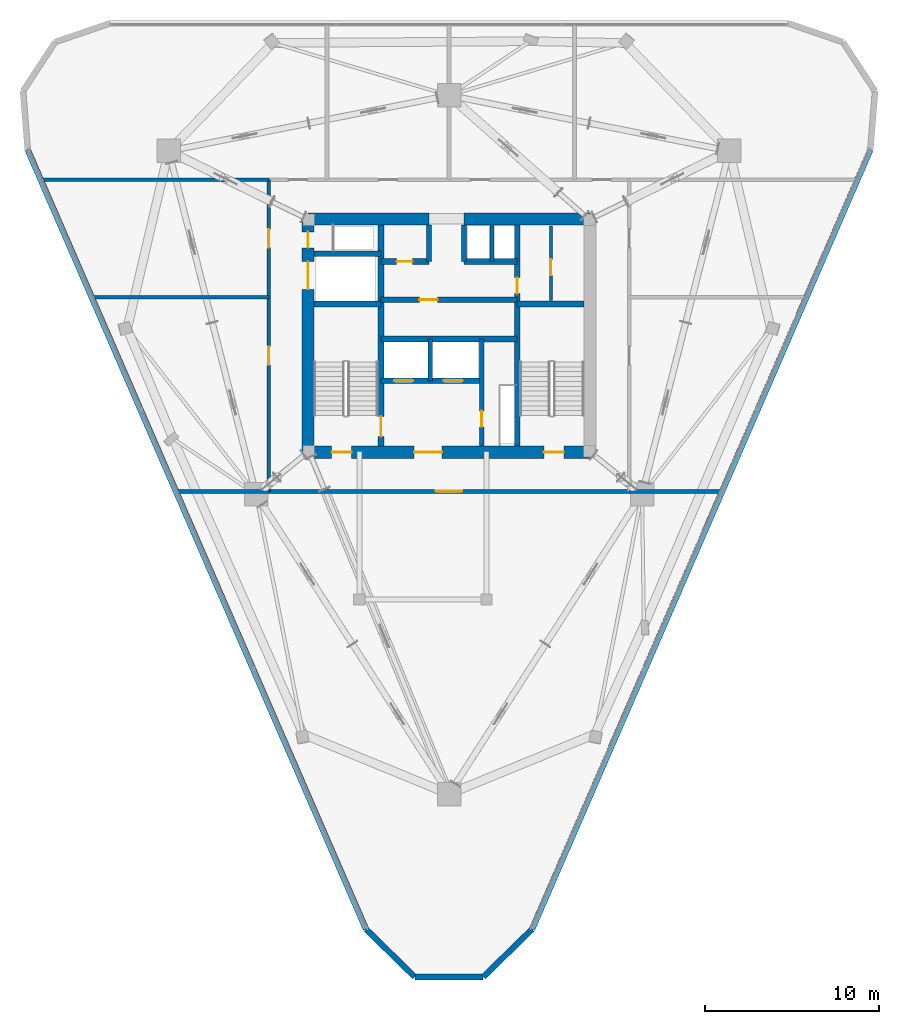
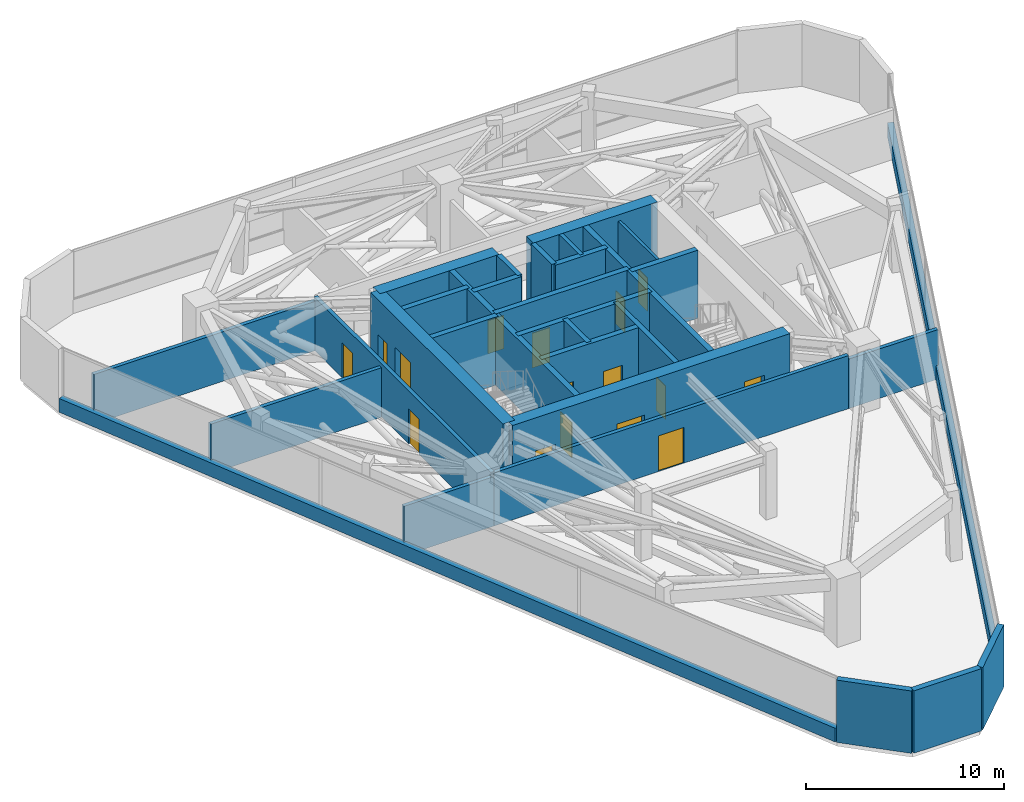
# One storey, part 10 of 12: 31 walls, 16 doors, 16 openings.
"""IFC4 building model written with IfcOpenShell, lengths in metres."""

from ifc_helpers import new_model, si_unit, direction, frame, frame_2d, origin, place, context, subcontext, project, spatial, rectangle, extrude, material, layer, layer_set, type_object, element, fill, save


model = new_model("IFC4")

# Units and contexts
model_context = context("Model", 3, precision=1e-05, world=origin(), true_north=direction((0.0, 1.0)))
body_context = subcontext(model_context, "Body", "Model", "MODEL_VIEW")
ifc_project = project(units=[si_unit("LENGTHUNIT", "METRE"), si_unit("AREAUNIT", "SQUARE_METRE"), si_unit("VOLUMEUNIT", "CUBIC_METRE"), si_unit("PLANEANGLEUNIT", "RADIAN"), si_unit("MASSUNIT", "GRAM", prefix="KILO")], contexts=[model_context])

# Site, building, storey
site_placement = place(None, origin())
site = spatial("IfcSite", under=ifc_project, at=site_placement, CompositionType="ELEMENT")
building_placement = place(site_placement, origin())
building = spatial("IfcBuilding", under=site, at=building_placement, Name="Talyreon Biosciences Tower", CompositionType="ELEMENT")
storey_placement = place(building_placement, frame((0.0, 0.0, 223.199951171875)))
storey = spatial("IfcBuildingStorey", under=building, at=storey_placement, Name="L59", CompositionType="ELEMENT", Elevation=223.199951171875)

# Walls
ifc_material_1 = material(Name="Concrete C50/60", Category="concrete")
ifc_layer_1 = layer(ifc_material_1, 0.219970703125)
ifc_layer_set_1 = layer_set([ifc_layer_1], Name="Concrete C50/60")
wall_type_1 = type_object("IfcWallType", Name="CoreShearWall_220", PredefinedType="SHEAR", material=ifc_layer_set_1)
wall_1_placement = place(storey_placement, frame((68.4599609375, 72.25, 0.0), z_axis=(0.0, 0.0, 1.0), x_axis=(0.0, 1.0, 0.0)))
element("IfcWall", 1, at=wall_1_placement, inside=storey, type_object=wall_type_1, Name="L59 Core Shaft Wall SWPHD", PredefinedType="SHEAR", context=body_context, shape_type="SweptSolid", body=[
    extrude(rectangle(XDim=2.10009765625, YDim=0.219970703125, at=frame_2d((1.050048828125, 0.0))), origin(), (0.0, 0.0, 1.0), 4.199951171875),
])
ifc_layer_2 = layer(ifc_material_1, 0.280029296875)
ifc_layer_set_2 = layer_set([ifc_layer_2], Name="Concrete C50/60")
wall_type_2 = type_object("IfcWallType", Name="CoreShearWall_280", PredefinedType="SHEAR", material=ifc_layer_set_2)
wall_2_placement = place(storey_placement, frame((64.919921875, 65.39990234375, 0.0), z_axis=(0.0, 0.0, 1.0), x_axis=(0.0, 1.0, 0.0)))
element("IfcWall", 2, at=wall_2_placement, inside=storey, type_object=wall_type_2, Name="L59 Core Shaft Wall SWSHD1", PredefinedType="SHEAR", context=body_context, shape_type="SweptSolid", body=[
    extrude(rectangle(XDim=2.400146484375, YDim=0.280029296875, at=frame_2d((1.2001953125, 0.0))), origin(), (0.0, 0.0, 1.0), 4.199951171875),
])
for number, where, z_axis, x_axis, name in (
    (3, (64.85009765625, 72.25, 0.0), (0.0, 0.0, 1.0), (0.0, 1.0, 0.0), "L59 Core Shaft Wall SWTHW"),
    (4, (66.85009765625, 72.25, 0.0), (0.0, 0.0, 1.0), (0.0, 1.0, 0.0), "L59 Core Shaft Wall SWTHE"),
):
    element("IfcWall", number, at=place(storey_placement, frame(where, z_axis=z_axis, x_axis=x_axis)), inside=storey, type_object=wall_type_2, Name=name, PredefinedType="SHEAR", context=body_context, shape_type="SweptSolid", body=[
        extrude(rectangle(XDim=2.10009765625, YDim=0.280029296875, at=frame_2d((1.050048828125, 0.0))), origin(), (0.0, 0.0, 1.0), 4.199951171875),
    ])

# Wall, opening, door
wall_3_placement = place(storey_placement, frame((67.8798828125, 61.64990234375, 0.0), z_axis=(0.0, 0.0, 1.0), x_axis=(0.0, 1.0, 0.0)))
wall_3 = element("IfcWall", 5, at=wall_3_placement, inside=storey, type_object=wall_type_2, Name="L59 Core Shaft Wall SWFFE", PredefinedType="SHEAR", context=body_context, shape_type="SweptSolid", body=[
    extrude(rectangle(XDim=6.150146484375, YDim=0.280029296875, at=frame_2d((3.0751953125, 0.0))), origin(), (0.0, 0.0, 1.0), 4.199951171875),
])
opening_1_placement = place(wall_3_placement, frame((1.10009765625, 0.0, 0.0)))
opening_1 = element("IfcOpeningElement", 6, at=opening_1_placement, cuts=wall_3, Name="Opening DR-L59-RSE", PredefinedType="OPENING", context=body_context, shape_type="SweptSolid", body=[
    extrude(rectangle(XDim=0.919921875, YDim=2.050048828125, at=frame_2d((0.4599609375, 1.02490234375))), frame((0.0, 0.14990234375, 0.0), z_axis=(0.0, -1.0, 0.0), x_axis=(1.0, 0.0, 0.0)), (0.0, 0.0, 1.0), 0.300048828125),
])
ifc_material_2 = material(Name="Painted steel fire-rated riser door", Category="steel")
door_type_1 = type_object("IfcDoorType", Name="RiserPlantAccessDoor_920x2050", OperationType="NOTDEFINED", PredefinedType="DOOR", material=ifc_material_2)
door_1_placement = place(opening_1_placement, origin())
door_1 = element("IfcDoor", 7, at=door_1_placement, inside=storey, type_object=door_type_1, Name="L59 Core Door DR-L59-RSE", OperationType="SINGLE_SWING_RIGHT", OverallHeight=2.050048828125, OverallWidth=0.919921875, PredefinedType="DOOR", context=body_context, shape_type="SweptSolid", body=[
    extrude(rectangle(XDim=0.919921875, YDim=2.050048828125, at=frame_2d((0.4599609375, 1.02490234375))), frame((0.0, 0.02490234375, 0.0), z_axis=(0.0, -1.0, 0.0), x_axis=(1.0, 0.0, 0.0)), (0.0, 0.0, 1.0), 0.050048828125),
])
fill(opening_1, door_1)

ifc_layer_3 = layer(ifc_material_1, 0.320068359375)
ifc_layer_set_3 = layer_set([ifc_layer_3], Name="Concrete C50/60")
wall_type_3 = type_object("IfcWallType", Name="CoreShearWall_320", PredefinedType="SHEAR", material=ifc_layer_set_3)
wall_4_placement = place(storey_placement, frame((62.090087890625, 61.64990234375, 0.0), z_axis=(0.0, 0.0, 1.0), x_axis=(0.0, 1.0, 0.0)))
wall_4 = element("IfcWall", 8, at=wall_4_placement, inside=storey, type_object=wall_type_3, Name="L59 Core Shaft Wall SW1E", PredefinedType="SHEAR", context=body_context, shape_type="SweptSolid", body=[
    extrude(rectangle(XDim=12.7001953125, YDim=0.320068359375, at=frame_2d((6.35009765625, 0.0))), origin(), (0.0, 0.0, 1.0), 4.199951171875),
])
opening_2_placement = place(wall_4_placement, frame((0.550048828125, 0.0, 0.0)))
opening_2 = element("IfcOpeningElement", 9, at=opening_2_placement, cuts=wall_4, Name="Opening DR-L59-FF-ST1", PredefinedType="OPENING", context=body_context, shape_type="SweptSolid", body=[
    extrude(rectangle(XDim=1.14990234375, YDim=2.14990234375, at=frame_2d((0.574951171875, 1.074951171875))), frame((0.0, 0.169921875, 0.0), z_axis=(0.0, -1.0, 0.0), x_axis=(1.0, 0.0, 0.0)), (0.0, 0.0, 1.0), 0.340087890625),
])
ifc_material_3 = material(Name="Painted steel fire door", Category="steel")
door_type_2 = type_object("IfcDoorType", Name="StairShaftFireDoor_1150x2150", OperationType="NOTDEFINED", PredefinedType="DOOR", material=ifc_material_3)
door_2_placement = place(opening_2_placement, origin())
door_2 = element("IfcDoor", 10, at=door_2_placement, inside=storey, type_object=door_type_2, Name="L59 Core Door DR-L59-FF-ST1", OperationType="SINGLE_SWING_LEFT", OverallHeight=2.14990234375, OverallWidth=1.14990234375, PredefinedType="DOOR", context=body_context, shape_type="SweptSolid", body=[
    extrude(rectangle(XDim=1.14990234375, YDim=2.14990234375, at=frame_2d((0.574951171875, 1.074951171875))), frame((0.0, 0.02490234375, 0.0), z_axis=(0.0, -1.0, 0.0), x_axis=(1.0, 0.0, 0.0)), (0.0, 0.0, 1.0), 0.050048828125),
])
fill(opening_2, door_2)

wall_5_placement = place(storey_placement, frame((69.909912109375, 61.64990234375, 0.0), z_axis=(0.0, 0.0, 1.0), x_axis=(0.0, 1.0, 0.0)))
wall_5 = element("IfcWall", 11, at=wall_5_placement, inside=storey, type_object=wall_type_3, Name="L59 Core Shaft Wall SW2W", PredefinedType="SHEAR", context=body_context, shape_type="SweptSolid", body=[
    extrude(rectangle(XDim=12.7001953125, YDim=0.320068359375, at=frame_2d((6.35009765625, 0.0))), origin(), (0.0, 0.0, 1.0), 4.199951171875),
])
opening_3_placement = place(wall_5_placement, frame((8.75, 0.0, 0.0)))
opening_3 = element("IfcOpeningElement", 12, at=opening_3_placement, cuts=wall_5, Name="Opening DR-L59-CSRV", PredefinedType="OPENING", context=body_context, shape_type="SweptSolid", body=[
    extrude(rectangle(XDim=0.919921875, YDim=2.050048828125, at=frame_2d((0.4599609375, 1.02490234375))), frame((0.0, 0.169921875, 0.0), z_axis=(0.0, -1.0, 0.0), x_axis=(1.0, 0.0, 0.0)), (0.0, 0.0, 1.0), 0.340087890625),
])
door_3_placement = place(opening_3_placement, origin())
door_3 = element("IfcDoor", 13, at=door_3_placement, inside=storey, type_object=door_type_1, Name="L59 Core Door DR-L59-CSRV", OperationType="SINGLE_SWING_RIGHT", OverallHeight=2.050048828125, OverallWidth=0.919921875, PredefinedType="DOOR", context=body_context, shape_type="SweptSolid", body=[
    extrude(rectangle(XDim=0.919921875, YDim=2.050048828125, at=frame_2d((0.4599609375, 1.02490234375))), frame((0.0, 0.02490234375, 0.0), z_axis=(0.0, -1.0, 0.0), x_axis=(1.0, 0.0, 0.0)), (0.0, 0.0, 1.0), 0.050048828125),
])
fill(opening_3, door_3)

# Walls
for number, where, z_axis, x_axis, name in (
    (14, (58.25, 69.81005859375, 0.0), (0.0, 0.0, 1.0), (1.0, 0.0, 0.0), "L59 Core Shaft Wall SW1N"),
    (15, (69.909912109375, 69.81005859375, 0.0), (0.0, 0.0, 1.0), (1.0, 0.0, 0.0), "L59 Core Shaft Wall SW2N"),
    (16, (58.25, 72.699951171875, 0.0), (0.0, 0.0, 1.0), (1.0, 0.0, 0.0), "L59 Core Shaft Wall SWGLN"),
):
    element("IfcWall", number, at=place(storey_placement, frame(where, z_axis=z_axis, x_axis=x_axis)), inside=storey, type_object=wall_type_3, Name=name, PredefinedType="SHEAR", context=body_context, shape_type="SweptSolid", body=[
        extrude(rectangle(XDim=3.840087890625, YDim=0.320068359375, at=frame_2d((1.919921875, 0.0))), origin(), (0.0, 0.0, 1.0), 4.199951171875),
    ])
wall_6_placement = place(storey_placement, frame((62.090087890625, 67.800048828125, 0.0), z_axis=(0.0, 0.0, 1.0), x_axis=(1.0, 0.0, 0.0)))
element("IfcWall", 17, at=wall_6_placement, inside=storey, type_object=wall_type_3, Name="L59 Core Shaft Wall SWSHM", PredefinedType="SHEAR", context=body_context, shape_type="SweptSolid", body=[
    extrude(rectangle(XDim=7.81982421875, YDim=0.320068359375, at=frame_2d((3.909912109375, 0.0))), origin(), (0.0, 0.0, 1.0), 4.199951171875),
])

# Wall, opening, door
wall_7_placement = place(storey_placement, frame((62.090087890625, 70.050048828125, 0.0), z_axis=(0.0, 0.0, 1.0), x_axis=(1.0, 0.0, 0.0)))
wall_7 = element("IfcWall", 18, at=wall_7_placement, inside=storey, type_object=wall_type_3, Name="L59 Core Shaft Wall SWSPN", PredefinedType="SHEAR", context=body_context, shape_type="SweptSolid", body=[
    extrude(rectangle(XDim=7.81982421875, YDim=0.320068359375, at=frame_2d((3.909912109375, 0.0))), origin(), (0.0, 0.0, 1.0), 4.199951171875),
])
opening_4_placement = place(wall_7_placement, frame((2.199951171875, 0.0, 0.0)))
opening_4 = element("IfcOpeningElement", 19, at=opening_4_placement, cuts=wall_7, Name="Opening DR-L59-PLPMFREE", PredefinedType="OPENING", context=body_context, shape_type="SweptSolid", body=[
    extrude(rectangle(XDim=1.050048828125, YDim=2.14990234375, at=frame_2d((0.52490234375, 1.074951171875))), frame((0.0, 0.169921875, 0.0), z_axis=(0.0, -1.0, 0.0), x_axis=(1.0, 0.0, 0.0)), (0.0, 0.0, 1.0), 0.340087890625),
])
ifc_material_4 = material(Name="Acoustic timber-core laboratory door", Category="wood")
door_type_3 = type_object("IfcDoorType", Name="DryLabSingleDoor_1050x2150", OperationType="NOTDEFINED", PredefinedType="DOOR", material=ifc_material_4)
door_4_placement = place(opening_4_placement, origin())
door_4 = element("IfcDoor", 20, at=door_4_placement, inside=storey, type_object=door_type_3, Name="L59 Core Door DR-L59-PLPMFREE", OperationType="SINGLE_SWING_LEFT", OverallHeight=2.14990234375, OverallWidth=1.050048828125, PredefinedType="DOOR", context=body_context, shape_type="SweptSolid", body=[
    extrude(rectangle(XDim=1.050048828125, YDim=2.14990234375, at=frame_2d((0.52490234375, 1.074951171875))), frame((0.0, 0.02490234375, 0.0), z_axis=(0.0, -1.0, 0.0), x_axis=(1.0, 0.0, 0.0)), (0.0, 0.0, 1.0), 0.050048828125),
])
fill(opening_4, door_4)

wall_8_placement = place(storey_placement, frame((62.090087890625, 72.25, 0.0), z_axis=(0.0, 0.0, 1.0), x_axis=(1.0, 0.0, 0.0)))
wall_8 = element("IfcWall", 21, at=wall_8_placement, inside=storey, type_object=wall_type_3, Name="L59 Core Shaft Wall SWNPW", PredefinedType="SHEAR", context=body_context, shape_type="SweptSolid", body=[
    extrude(rectangle(XDim=2.760009765625, YDim=0.320068359375, at=frame_2d((1.3798828125, 0.0))), origin(), (0.0, 0.0, 1.0), 4.199951171875),
])
opening_5_placement = place(wall_8_placement, frame((0.89990234375, 0.0, 0.0)))
opening_5 = element("IfcOpeningElement", 22, at=opening_5_placement, cuts=wall_8, Name="Opening DR-L59-PM2FREE", PredefinedType="OPENING", context=body_context, shape_type="SweptSolid", body=[
    extrude(rectangle(XDim=0.919921875, YDim=2.050048828125, at=frame_2d((0.4599609375, 1.02490234375))), frame((0.0, 0.169921875, 0.0), z_axis=(0.0, -1.0, 0.0), x_axis=(1.0, 0.0, 0.0)), (0.0, 0.0, 1.0), 0.340087890625),
])
door_5_placement = place(opening_5_placement, origin())
door_5 = element("IfcDoor", 23, at=door_5_placement, inside=storey, type_object=door_type_1, Name="L59 Core Door DR-L59-PM2FREE", OperationType="SINGLE_SWING_RIGHT", OverallHeight=2.050048828125, OverallWidth=0.919921875, PredefinedType="DOOR", context=body_context, shape_type="SweptSolid", body=[
    extrude(rectangle(XDim=0.919921875, YDim=2.050048828125, at=frame_2d((0.4599609375, 1.02490234375))), frame((0.0, 0.02490234375, 0.0), z_axis=(0.0, -1.0, 0.0), x_axis=(1.0, 0.0, 0.0)), (0.0, 0.0, 1.0), 0.050048828125),
])
fill(opening_5, door_5)

# Wall
wall_9_placement = place(storey_placement, frame((66.85009765625, 72.25, 0.0), z_axis=(0.0, 0.0, 1.0), x_axis=(1.0, 0.0, 0.0)))
element("IfcWall", 24, at=wall_9_placement, inside=storey, type_object=wall_type_3, Name="L59 Core Shaft Wall SWNPE", PredefinedType="SHEAR", context=body_context, shape_type="SweptSolid", body=[
    extrude(rectangle(XDim=3.059814453125, YDim=0.320068359375, at=frame_2d((1.52978515625, 0.0))), origin(), (0.0, 0.0, 1.0), 4.199951171875),
])

# Wall, openings, doors
wall_10_placement = place(storey_placement, frame((62.090087890625, 65.39990234375, 0.0), z_axis=(0.0, 0.0, 1.0), x_axis=(1.0, 0.0, 0.0)))
wall_10 = element("IfcWall", 25, at=wall_10_placement, inside=storey, type_object=wall_type_3, Name="L59 Core Shaft Wall SWFFN", PredefinedType="SHEAR", context=body_context, shape_type="SweptSolid", body=[
    extrude(rectangle(XDim=5.789794921875, YDim=0.320068359375, at=frame_2d((2.89501953125, 0.0))), origin(), (0.0, 0.0, 1.0), 4.199951171875),
])
opening_6_placement = place(wall_10_placement, frame((0.75, 0.0, 0.0)))
opening_6 = element("IfcOpeningElement", 26, at=opening_6_placement, cuts=wall_10, Name="Opening LD-L59-FL1", PredefinedType="OPENING", context=body_context, shape_type="SweptSolid", body=[
    extrude(rectangle(XDim=1.10009765625, YDim=2.199951171875, at=frame_2d((0.550048828125, 1.10009765625))), frame((0.0, 0.169921875, 0.0), z_axis=(0.0, -1.0, 0.0), x_axis=(1.0, 0.0, 0.0)), (0.0, 0.0, 1.0), 0.340087890625),
])
opening_7_placement = place(wall_10_placement, frame((3.60009765625, 0.0, 0.0)))
opening_7 = element("IfcOpeningElement", 27, at=opening_7_placement, cuts=wall_10, Name="Opening LD-L59-FL2", PredefinedType="OPENING", context=body_context, shape_type="SweptSolid", body=[
    extrude(rectangle(XDim=1.10009765625, YDim=2.199951171875, at=frame_2d((0.550048828125, 1.10009765625))), frame((0.0, 0.169921875, 0.0), z_axis=(0.0, -1.0, 0.0), x_axis=(1.0, 0.0, 0.0)), (0.0, 0.0, 1.0), 0.340087890625),
])
ifc_material_5 = material(Name="Brushed stainless-steel lift landing door", Category="steel")
door_type_4 = type_object("IfcDoorType", Name="LiftSlidingLandingDoor_1100x2200", OperationType="SLIDING_TO_LEFT", PredefinedType="DOOR", material=ifc_material_5)
door_6_placement = place(opening_6_placement, origin())
door_6 = element("IfcDoor", 28, at=door_6_placement, inside=storey, type_object=door_type_4, Name="L59 Core Door LD-L59-FL1", OperationType="SLIDING_TO_LEFT", OverallHeight=2.199951171875, OverallWidth=1.10009765625, PredefinedType="DOOR", context=body_context, shape_type="SweptSolid", body=[
    extrude(rectangle(XDim=1.10009765625, YDim=2.199951171875, at=frame_2d((0.550048828125, 1.10009765625))), frame((0.0, 0.02490234375, 0.0), z_axis=(0.0, -1.0, 0.0), x_axis=(1.0, 0.0, 0.0)), (0.0, 0.0, 1.0), 0.050048828125),
])
fill(opening_6, door_6)
door_7_placement = place(opening_7_placement, origin())
door_7 = element("IfcDoor", 29, at=door_7_placement, inside=storey, type_object=door_type_4, Name="L59 Core Door LD-L59-FL2", OperationType="SLIDING_TO_LEFT", OverallHeight=2.199951171875, OverallWidth=1.10009765625, PredefinedType="DOOR", context=body_context, shape_type="SweptSolid", body=[
    extrude(rectangle(XDim=1.10009765625, YDim=2.199951171875, at=frame_2d((0.550048828125, 1.10009765625))), frame((0.0, 0.02490234375, 0.0), z_axis=(0.0, -1.0, 0.0), x_axis=(1.0, 0.0, 0.0)), (0.0, 0.0, 1.0), 0.050048828125),
])
fill(opening_7, door_7)

ifc_layer_4 = layer(ifc_material_1, 0.699951171875)
ifc_layer_set_4 = layer_set([ifc_layer_4], Name="Concrete C50/60")
wall_type_4 = type_object("IfcWallType", Name="CoreShearWall_700", PredefinedType="SHEAR", material=ifc_layer_set_4)
wall_11_placement = place(storey_placement, frame((57.89990234375, 61.300048828125, 0.0), z_axis=(0.0, 0.0, 1.0), x_axis=(1.0, 0.0, 0.0)))
wall_11 = element("IfcWall", 30, at=wall_11_placement, inside=storey, type_object=wall_type_4, Name="L59 Core Shear Wall S", PredefinedType="SHEAR", context=body_context, shape_type="SweptSolid", body=[
    extrude(rectangle(XDim=16.2001953125, YDim=0.699951171875, at=frame_2d((8.10009765625, 0.0))), origin(), (0.0, 0.0, 1.0), 4.199951171875),
])
opening_8_placement = place(wall_11_placement, frame((1.35009765625, 0.0, 0.0)))
opening_8 = element("IfcOpeningElement", 31, at=opening_8_placement, cuts=wall_11, Name="Opening DR-L59-ST1", PredefinedType="OPENING", context=body_context, shape_type="SweptSolid", body=[
    extrude(rectangle(XDim=1.14990234375, YDim=2.14990234375, at=frame_2d((0.574951171875, 1.074951171875))), frame((0.0, 0.35986328125, 0.0), z_axis=(0.0, -1.0, 0.0), x_axis=(1.0, 0.0, 0.0)), (0.0, 0.0, 1.0), 0.719970703125),
])
opening_9_placement = place(wall_11_placement, frame((6.10009765625, 0.0, 0.0)))
opening_9 = element("IfcOpeningElement", 32, at=opening_9_placement, cuts=wall_11, Name="Opening DR-L59-FFL", PredefinedType="OPENING", context=body_context, shape_type="SweptSolid", body=[
    extrude(rectangle(XDim=1.60009765625, YDim=2.14990234375, at=frame_2d((0.800048828125, 1.074951171875))), frame((0.0, 0.35986328125, 0.0), z_axis=(0.0, -1.0, 0.0), x_axis=(1.0, 0.0, 0.0)), (0.0, 0.0, 1.0), 0.719970703125),
])
opening_10_placement = place(wall_11_placement, frame((13.550048828125, 0.0, 0.0)))
opening_10 = element("IfcOpeningElement", 33, at=opening_10_placement, cuts=wall_11, Name="Opening DR-L59-ST2", PredefinedType="OPENING", context=body_context, shape_type="SweptSolid", body=[
    extrude(rectangle(XDim=1.14990234375, YDim=2.14990234375, at=frame_2d((0.574951171875, 1.074951171875))), frame((0.0, 0.35986328125, 0.0), z_axis=(0.0, -1.0, 0.0), x_axis=(1.0, 0.0, 0.0)), (0.0, 0.0, 1.0), 0.719970703125),
])
ifc_material_6 = material(Name="Painted steel smoke-seal fire door", Category="steel")
door_type_5 = type_object("IfcDoorType", Name="FirefightingLobbyDoubleDoor_1600x2150", OperationType="DOUBLE_DOOR_SINGLE_SWING", PredefinedType="DOOR", material=ifc_material_6)
door_8_placement = place(opening_9_placement, origin())
door_8 = element("IfcDoor", 34, at=door_8_placement, inside=storey, type_object=door_type_5, Name="L59 Core Door DR-L59-FFL", OperationType="DOUBLE_DOOR_SINGLE_SWING", OverallHeight=2.14990234375, OverallWidth=1.60009765625, PredefinedType="DOOR", context=body_context, shape_type="SweptSolid", body=[
    extrude(rectangle(XDim=1.60009765625, YDim=2.14990234375, at=frame_2d((0.800048828125, 1.074951171875))), frame((0.0, 0.02490234375, 0.0), z_axis=(0.0, -1.0, 0.0), x_axis=(1.0, 0.0, 0.0)), (0.0, 0.0, 1.0), 0.050048828125),
])
fill(opening_9, door_8)
door_9_placement = place(opening_8_placement, origin())
door_9 = element("IfcDoor", 35, at=door_9_placement, inside=storey, type_object=door_type_2, Name="L59 Core Door DR-L59-ST1", OperationType="SINGLE_SWING_LEFT", OverallHeight=2.14990234375, OverallWidth=1.14990234375, PredefinedType="DOOR", context=body_context, shape_type="SweptSolid", body=[
    extrude(rectangle(XDim=1.14990234375, YDim=2.14990234375, at=frame_2d((0.574951171875, 1.074951171875))), frame((0.0, 0.02490234375, 0.0), z_axis=(0.0, -1.0, 0.0), x_axis=(1.0, 0.0, 0.0)), (0.0, 0.0, 1.0), 0.050048828125),
])
fill(opening_8, door_9)
door_10_placement = place(opening_10_placement, origin())
door_10 = element("IfcDoor", 36, at=door_10_placement, inside=storey, type_object=door_type_2, Name="L59 Core Door DR-L59-ST2", OperationType="SINGLE_SWING_RIGHT", OverallHeight=2.14990234375, OverallWidth=1.14990234375, PredefinedType="DOOR", context=body_context, shape_type="SweptSolid", body=[
    extrude(rectangle(XDim=1.14990234375, YDim=2.14990234375, at=frame_2d((0.574951171875, 1.074951171875))), frame((0.0, 0.02490234375, 0.0), z_axis=(0.0, -1.0, 0.0), x_axis=(1.0, 0.0, 0.0)), (0.0, 0.0, 1.0), 0.050048828125),
])
fill(opening_10, door_10)

# Walls
wall_12_placement = place(storey_placement, frame((74.10009765625, 74.699951171875, 0.0), z_axis=(0.0, 0.0, 1.0), x_axis=(-1.0, 0.0, 0.0)))
element("IfcWall", 37, at=wall_12_placement, inside=storey, type_object=wall_type_4, Name="L59 Core Shear Wall NE", PredefinedType="SHEAR", context=body_context, shape_type="SweptSolid", body=[
    extrude(rectangle(XDim=7.25, YDim=0.699951171875, at=frame_2d((3.625, 0.0))), origin(), (0.0, 0.0, 1.0), 4.199951171875),
])
wall_13_placement = place(storey_placement, frame((64.85009765625, 74.699951171875, 0.0), z_axis=(0.0, 0.0, 1.0), x_axis=(-1.0, 0.0, 0.0)))
element("IfcWall", 38, at=wall_13_placement, inside=storey, type_object=wall_type_4, Name="L59 Core Shear Wall NW", PredefinedType="SHEAR", context=body_context, shape_type="SweptSolid", body=[
    extrude(rectangle(XDim=6.9501953125, YDim=0.699951171875, at=frame_2d((3.47509765625, 0.0))), origin(), (0.0, 0.0, 1.0), 4.199951171875),
])

# Wall, openings, doors
wall_14_placement = place(storey_placement, frame((57.89990234375, 74.699951171875, 0.0), z_axis=(0.0, 0.0, 1.0), x_axis=(0.0, -1.0, 0.0)))
wall_14 = element("IfcWall", 39, at=wall_14_placement, inside=storey, type_object=wall_type_4, Name="L59 Core Shear Wall W", PredefinedType="SHEAR", context=body_context, shape_type="SweptSolid", body=[
    extrude(rectangle(XDim=13.39990234375, YDim=0.699951171875, at=frame_2d((6.699951171875, 0.0))), origin(), (0.0, 0.0, 1.0), 4.199951171875),
])
opening_11_placement = place(wall_14_placement, frame((0.75, 0.0, 0.0)))
opening_11 = element("IfcOpeningElement", 40, at=opening_11_placement, cuts=wall_14, Name="Opening DR-L59-RSW", PredefinedType="OPENING", context=body_context, shape_type="SweptSolid", body=[
    extrude(rectangle(XDim=0.919921875, YDim=2.050048828125, at=frame_2d((0.4599609375, 1.02490234375))), frame((0.0, 0.35986328125, 0.0), z_axis=(0.0, -1.0, 0.0), x_axis=(1.0, 0.0, 0.0)), (0.0, 0.0, 1.0), 0.719970703125),
])
opening_12_placement = place(wall_14_placement, frame((2.449951171875, 0.0, 0.0)))
opening_12 = element("IfcOpeningElement", 41, at=opening_12_placement, cuts=wall_14, Name="Opening LD-L59-GL1", PredefinedType="OPENING", context=body_context, shape_type="SweptSolid", body=[
    extrude(rectangle(XDim=1.60009765625, YDim=2.300048828125, at=frame_2d((0.800048828125, 1.14990234375))), frame((0.0, 0.35986328125, 0.0), z_axis=(0.0, -1.0, 0.0), x_axis=(1.0, 0.0, 0.0)), (0.0, 0.0, 1.0), 0.719970703125),
])
ifc_material_7 = material(Name="Heavy-duty stainless-steel goods lift door", Category="steel")
door_type_6 = type_object("IfcDoorType", Name="GoodsLiftSlidingDoor_1600x2300", OperationType="DOUBLE_DOOR_SLIDING", PredefinedType="DOOR", material=ifc_material_7)
door_11_placement = place(opening_12_placement, origin())
door_11 = element("IfcDoor", 42, at=door_11_placement, inside=storey, type_object=door_type_6, Name="L59 Core Door LD-L59-GL1", OperationType="DOUBLE_DOOR_SLIDING", OverallHeight=2.300048828125, OverallWidth=1.60009765625, PredefinedType="DOOR", context=body_context, shape_type="SweptSolid", body=[
    extrude(rectangle(XDim=1.60009765625, YDim=2.300048828125, at=frame_2d((0.800048828125, 1.14990234375))), frame((0.0, 0.02490234375, 0.0), z_axis=(0.0, -1.0, 0.0), x_axis=(1.0, 0.0, 0.0)), (0.0, 0.0, 1.0), 0.050048828125),
])
fill(opening_12, door_11)
door_12_placement = place(opening_11_placement, origin())
door_12 = element("IfcDoor", 43, at=door_12_placement, inside=storey, type_object=door_type_1, Name="L59 Core Door DR-L59-RSW", OperationType="SINGLE_SWING_LEFT", OverallHeight=2.050048828125, OverallWidth=0.919921875, PredefinedType="DOOR", context=body_context, shape_type="SweptSolid", body=[
    extrude(rectangle(XDim=0.919921875, YDim=2.050048828125, at=frame_2d((0.4599609375, 1.02490234375))), frame((0.0, 0.02490234375, 0.0), z_axis=(0.0, -1.0, 0.0), x_axis=(1.0, 0.0, 0.0)), (0.0, 0.0, 1.0), 0.050048828125),
])
fill(opening_11, door_12)

# Walls
ifc_material_8 = material(Name="Gypsum fireboard acoustic stud", Category="gypsum")
ifc_layer_5 = layer(ifc_material_8, 0.219970703125)
ifc_layer_set_5 = layer_set([ifc_layer_5], Name="Gypsum fireboard acoustic stud")
wall_type_5 = type_object("IfcWallType", Name="CorridorRatedPartition_220", PredefinedType="PARTITIONING", material=ifc_layer_set_5)
wall_15_placement = place(storey_placement, frame((42.63916015625, 76.949951171875, 0.0), z_axis=(0.0, 0.0, 1.0), x_axis=(1.0, 0.0, 0.0)))
element("IfcWall", 44, at=wall_15_placement, inside=storey, type_object=wall_type_5, Name="L59 Interior Wall IW-L59-NDIV-NW", PredefinedType="PARTITIONING", context=body_context, shape_type="SweptSolid", body=[
    extrude(rectangle(XDim=13.0107421875, YDim=0.219970703125, at=frame_2d((6.50537109375, 0.0))), origin(), (0.0, 0.0, 1.0), 3.050048828125),
])
wall_16_placement = place(storey_placement, frame((45.568603515625, 70.199951171875, 0.0), z_axis=(0.0, 0.0, 1.0), x_axis=(1.0, 0.0, 0.0)))
element("IfcWall", 45, at=wall_16_placement, inside=storey, type_object=wall_type_5, Name="L59 Interior Wall IW-L59-WD1", PredefinedType="PARTITIONING", context=body_context, shape_type="SweptSolid", body=[
    extrude(rectangle(XDim=10.081298828125, YDim=0.219970703125, at=frame_2d((5.04052734375, 0.0))), origin(), (0.0, 0.0, 1.0), 3.050048828125),
])
for number, where, z_axis, x_axis, name in (
    (46, (76.35009765625, 59.050048828125, 0.0), (0.0, 0.0, 1.0), (1.0, 0.0, 0.0), "L59 Interior Wall IW-L59-PDIV-SE"),
    (47, (50.40771484375, 59.050048828125, 0.0), (0.0, 0.0, 1.0), (1.0, 0.0, 0.0), "L59 Interior Wall IW-L59-PDIV-SW"),
):
    element("IfcWall", number, at=place(storey_placement, frame(where, z_axis=z_axis, x_axis=x_axis)), inside=storey, type_object=wall_type_5, Name=name, PredefinedType="PARTITIONING", context=body_context, shape_type="SweptSolid", body=[
        extrude(rectangle(XDim=5.2421875, YDim=0.219970703125, at=frame_2d((2.62109375, 0.0))), origin(), (0.0, 0.0, 1.0), 3.050048828125),
    ])

# Wall, opening, door
wall_17_placement = place(storey_placement, frame((55.64990234375, 59.050048828125, 0.0), z_axis=(0.0, 0.0, 1.0), x_axis=(1.0, 0.0, 0.0)))
wall_17 = element("IfcWall", 48, at=wall_17_placement, inside=storey, type_object=wall_type_5, Name="L59 Interior Wall IW-L59-PC-S", PredefinedType="PARTITIONING", context=body_context, shape_type="SweptSolid", body=[
    extrude(rectangle(XDim=20.7001953125, YDim=0.219970703125, at=frame_2d((10.35009765625, 0.0))), origin(), (0.0, 0.0, 1.0), 3.280029296875),
])
opening_13_placement = place(wall_17_placement, frame((9.60009765625, 0.0, 0.0)))
opening_13 = element("IfcOpeningElement", 49, at=opening_13_placement, cuts=wall_17, Name="Opening DR-L59-PL-S", PredefinedType="OPENING", context=body_context, shape_type="SweptSolid", body=[
    extrude(rectangle(XDim=1.5, YDim=2.199951171875, at=frame_2d((0.75, 1.10009765625))), frame((0.0, 0.119873046875, 0.0), z_axis=(0.0, -1.0, 0.0), x_axis=(1.0, 0.0, 0.0)), (0.0, 0.0, 1.0), 0.239990234375),
])
ifc_material_9 = material(Name="Vision-panel steel laboratory fire door", Category="steel")
door_type_7 = type_object("IfcDoorType", Name="WetLabDoubleLeafDoor_1500x2200", OperationType="DOUBLE_DOOR_SINGLE_SWING", PredefinedType="DOOR", material=ifc_material_9)
door_13_placement = place(opening_13_placement, origin())
door_13 = element("IfcDoor", 50, at=door_13_placement, inside=storey, type_object=door_type_7, Name="L59 Interior Door DR-L59-PL-S", OperationType="DOUBLE_DOOR_SINGLE_SWING", OverallHeight=2.199951171875, OverallWidth=1.5, PredefinedType="DOOR", context=body_context, shape_type="SweptSolid", body=[
    extrude(rectangle(XDim=1.5, YDim=2.199951171875, at=frame_2d((0.75, 1.10009765625))), frame((0.0, 0.02490234375, 0.0), z_axis=(0.0, -1.0, 0.0), x_axis=(1.0, 0.0, 0.0)), (0.0, 0.0, 1.0), 0.050048828125),
])
fill(opening_13, door_13)

# Wall, openings, doors
wall_18_placement = place(storey_placement, frame((55.64990234375, 59.050048828125, 0.0), z_axis=(0.0, 0.0, 1.0), x_axis=(0.0, 1.0, 0.0)))
wall_18 = element("IfcWall", 51, at=wall_18_placement, inside=storey, type_object=wall_type_5, Name="L59 Interior Wall IW-L59-PC-W", PredefinedType="PARTITIONING", context=body_context, shape_type="SweptSolid", body=[
    extrude(rectangle(XDim=17.89990234375, YDim=0.219970703125, at=frame_2d((8.949951171875, 0.0))), origin(), (0.0, 0.0, 1.0), 3.280029296875),
])
opening_14_placement = place(wall_18_placement, frame((7.264892578125, 0.0, 0.0)))
opening_14 = element("IfcOpeningElement", 52, at=opening_14_placement, cuts=wall_18, Name="Opening DR-L59-PL-WB", PredefinedType="OPENING", context=body_context, shape_type="SweptSolid", body=[
    extrude(rectangle(XDim=1.050048828125, YDim=2.14990234375, at=frame_2d((0.52490234375, 1.074951171875))), frame((0.0, 0.119873046875, 0.0), z_axis=(0.0, -1.0, 0.0), x_axis=(1.0, 0.0, 0.0)), (0.0, 0.0, 1.0), 0.239990234375),
])
opening_15_placement = place(wall_18_placement, frame((14.0, 0.0, 0.0)))
opening_15 = element("IfcOpeningElement", 53, at=opening_15_placement, cuts=wall_18, Name="Opening DR-L59-PL-WA", PredefinedType="OPENING", context=body_context, shape_type="SweptSolid", body=[
    extrude(rectangle(XDim=1.050048828125, YDim=2.14990234375, at=frame_2d((0.52490234375, 1.074951171875))), frame((0.0, 0.119873046875, 0.0), z_axis=(0.0, -1.0, 0.0), x_axis=(1.0, 0.0, 0.0)), (0.0, 0.0, 1.0), 0.239990234375),
])
door_14_placement = place(opening_14_placement, origin())
door_14 = element("IfcDoor", 54, at=door_14_placement, inside=storey, type_object=door_type_3, Name="L59 Interior Door DR-L59-PL-WB", OperationType="SINGLE_SWING_LEFT", OverallHeight=2.14990234375, OverallWidth=1.050048828125, PredefinedType="DOOR", context=body_context, shape_type="SweptSolid", body=[
    extrude(rectangle(XDim=1.050048828125, YDim=2.14990234375, at=frame_2d((0.52490234375, 1.074951171875))), frame((0.0, 0.02490234375, 0.0), z_axis=(0.0, -1.0, 0.0), x_axis=(1.0, 0.0, 0.0)), (0.0, 0.0, 1.0), 0.050048828125),
])
fill(opening_14, door_14)
door_15_placement = place(opening_15_placement, origin())
door_15 = element("IfcDoor", 55, at=door_15_placement, inside=storey, type_object=door_type_3, Name="L59 Interior Door DR-L59-PL-WA", OperationType="SINGLE_SWING_RIGHT", OverallHeight=2.14990234375, OverallWidth=1.050048828125, PredefinedType="DOOR", context=body_context, shape_type="SweptSolid", body=[
    extrude(rectangle(XDim=1.050048828125, YDim=2.14990234375, at=frame_2d((0.52490234375, 1.074951171875))), frame((0.0, 0.02490234375, 0.0), z_axis=(0.0, -1.0, 0.0), x_axis=(1.0, 0.0, 0.0)), (0.0, 0.0, 1.0), 0.050048828125),
])
fill(opening_15, door_15)

# Wall, opening, door
ifc_material_10 = material(Name="Gypsum acoustic stud partition", Category="gypsum")
ifc_layer_6 = layer(ifc_material_10, 0.159912109375)
ifc_layer_set_6 = layer_set([ifc_layer_6], Name="Gypsum acoustic stud partition")
wall_type_6 = type_object("IfcWallType", Name="LabSeparationPartition_160", PredefinedType="PARTITIONING", material=ifc_layer_set_6)
wall_19_placement = place(storey_placement, frame((71.85009765625, 70.0, 0.0), z_axis=(0.0, 0.0, 1.0), x_axis=(0.0, 1.0, 0.0)))
wall_19 = element("IfcWall", 56, at=wall_19_placement, inside=storey, type_object=wall_type_6, Name="L59 Interior Wall IW-L59-CSRV-V", PredefinedType="PARTITIONING", context=body_context, shape_type="SweptSolid", body=[
    extrude(rectangle(XDim=4.300048828125, YDim=0.159912109375, at=frame_2d((2.14990234375, 0.0))), origin(), (0.0, 0.0, 1.0), 3.85009765625),
])
opening_16_placement = place(wall_19_placement, frame((1.449951171875, 0.0, 0.0)))
opening_16 = element("IfcOpeningElement", 57, at=opening_16_placement, cuts=wall_19, Name="Opening DR-L59-CSRV-I", PredefinedType="OPENING", context=body_context, shape_type="SweptSolid", body=[
    extrude(rectangle(XDim=0.919921875, YDim=2.050048828125, at=frame_2d((0.4599609375, 1.02490234375))), frame((0.0, 0.08984375, 0.0), z_axis=(0.0, -1.0, 0.0), x_axis=(1.0, 0.0, 0.0)), (0.0, 0.0, 1.0), 0.179931640625),
])
door_16_placement = place(opening_16_placement, origin())
door_16 = element("IfcDoor", 58, at=door_16_placement, inside=storey, type_object=door_type_1, Name="L59 Interior Door DR-L59-CSRV-I", OperationType="SINGLE_SWING_RIGHT", OverallHeight=2.050048828125, OverallWidth=0.919921875, PredefinedType="DOOR", context=body_context, shape_type="SweptSolid", body=[
    extrude(rectangle(XDim=0.919921875, YDim=2.050048828125, at=frame_2d((0.4599609375, 1.02490234375))), frame((0.0, 0.02490234375, 0.0), z_axis=(0.0, -1.0, 0.0), x_axis=(1.0, 0.0, 0.0)), (0.0, 0.0, 1.0), 0.050048828125),
])
fill(opening_16, door_16)

# Walls
ifc_material_11 = material(Name="Precast concrete C45/55", Category="concrete")
ifc_layer_7 = layer(ifc_material_11, 0.340087890625)
ifc_layer_set_7 = layer_set([ifc_layer_7], Name="Precast concrete C45/55")
wall_type_7 = type_object("IfcWallType", Name="PrecastConcreteSpandrelWall_340", PredefinedType="STANDARD", material=ifc_layer_set_7)
for number, where, z_axis, x_axis, name in (
    (59, (61.229736328125, 33.89990234375, 0.0), (0.0, 0.0, 1.0), (-0.398111937444, 0.917336843948, 0.0), "L59 Expressed Concrete Sill Wall 00"),
    (60, (90.204833984375, 78.681396484375, 0.0), (0.0, 0.0, 1.0), (-0.398111937444, -0.917336843948, 0.0), "L59 Expressed Concrete Sill Wall 08"),
):
    element("IfcWall", number, at=place(storey_placement, frame(where, z_axis=z_axis, x_axis=x_axis)), inside=storey, type_object=wall_type_7, Name=name, PredefinedType="STANDARD", context=body_context, shape_type="SweptSolid", body=[
        extrude(rectangle(XDim=48.81689453125, YDim=0.340087890625, at=frame_2d((24.408447265625, 0.0))), origin(), (0.0, 0.0, 1.0), 0.85009765625),
    ])
for number, where, z_axis, x_axis, name in (
    (61, (70.770263671875, 33.89990234375, 0.0), (0.0, 0.0, 1.0), (-0.714959697892, -0.699165667342, 0.0), "L59 Rounded-Corner Concrete Pier 09"),
    (62, (67.963134765625, 31.15478515625, 0.0), (0.0, 0.0, 1.0), (-1.0, 0.0, 0.0), "L59 Rounded-Corner Concrete Pier 10"),
    (63, (64.036865234375, 31.15478515625, 0.0), (0.0, 0.0, 1.0), (-0.714959697892, 0.699165667342, 0.0), "L59 Rounded-Corner Concrete Pier 11"),
):
    element("IfcWall", number, at=place(storey_placement, frame(where, z_axis=z_axis, x_axis=x_axis)), inside=storey, type_object=wall_type_7, Name=name, PredefinedType="STANDARD", context=body_context, shape_type="SweptSolid", body=[
        extrude(rectangle(XDim=3.92626953125, YDim=0.340087890625, at=frame_2d((1.963134765625, 0.0))), origin(), (0.0, 0.0, 1.0), 3.85009765625),
    ])

save(model, "model.ifc")
